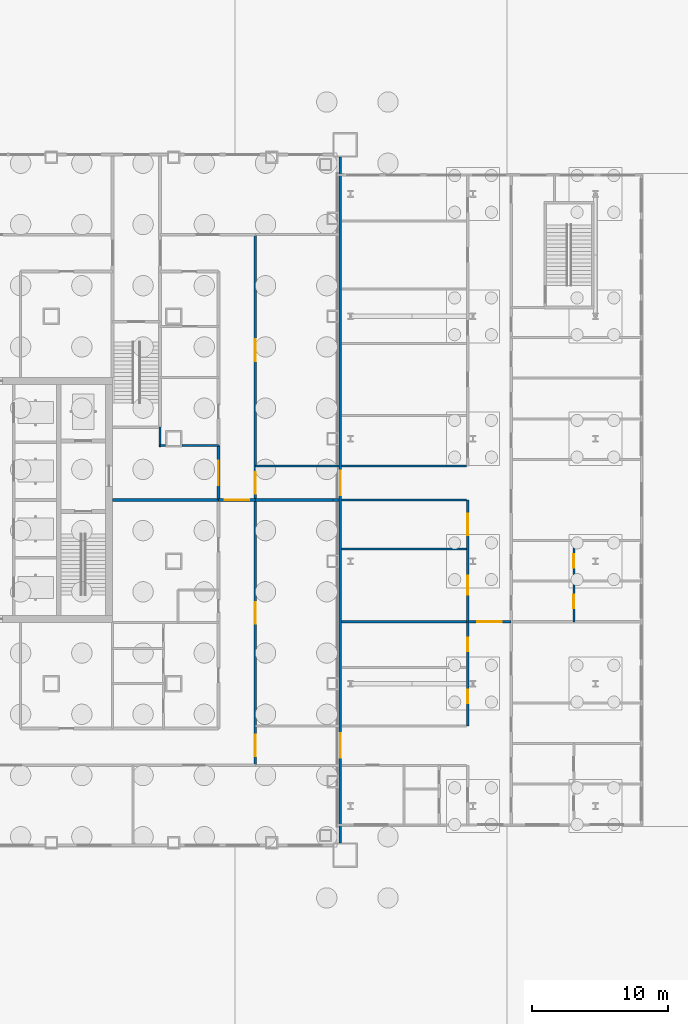
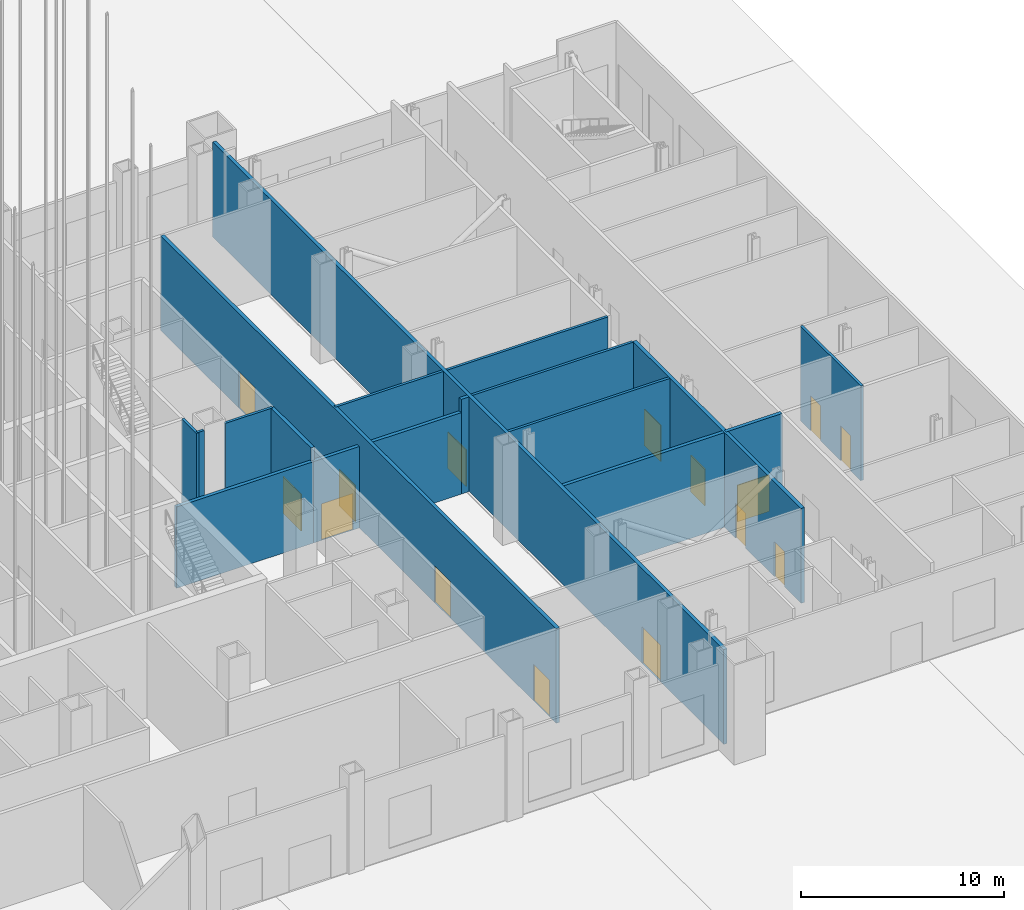
# One storey, part 10 of 36: 18 walls, 15 doors, 15 openings.
"""IFC4 building model written with IfcOpenShell, lengths in metres."""

import ifcopenshell
import ifcopenshell.guid

model = None  # the IFC model being written
_history = None  # IfcOwnerHistory: only IFC2X3 demands one
_inside = {}  # id of a spatial element -> (the spatial element, [elements in it])
_under = {}  # id of a project, library or spatial element -> (it, [spatial elements below it])
_declared = {}  # id of a project -> (the project, [libraries it declares])
_typed = {}  # id of a type object -> (the type object, [elements of that type])
_made_of = {}  # id of a material, layer set ... -> (it, [elements and type objects made of it])


def new_model(schema):
    """Start an empty IFC model of exactly this schema.

    Asked for "IFC4X3", IfcOpenShell would pick the latest addendum, in which some entities
    have other attributes; the version numbers below select the first issue.
    IFC2X3 requires an IfcOwnerHistory on every rooted entity: one is made here for all.
    """
    global model, _history
    if schema == "IFC4X3":
        model = ifcopenshell.file(schema_version=(4, 3, 0, 0))
    else:
        model = ifcopenshell.file(schema=schema)
    _inside.clear()
    _under.clear()
    _declared.clear()
    _typed.clear()
    _made_of.clear()
    _history = None
    if model.schema == "IFC2X3":
        org = make("IfcOrganization", Name="unknown")
        user = make(
            "IfcPersonAndOrganization",
            ThePerson=make("IfcPerson", FamilyName="unknown"),
            TheOrganization=org,
        )
        app = make(
            "IfcApplication",
            ApplicationDeveloper=org,
            Version="unknown",
            ApplicationFullName="unknown",
            ApplicationIdentifier="unknown",
        )
        _history = make(
            "IfcOwnerHistory",
            OwningUser=user,
            OwningApplication=app,
            ChangeAction="ADDED",
            CreationDate=0,
        )
    return model


def make(cls, **values):
    """One entity of the class cls with the attributes given. An attribute that is None is left unset."""
    return model.create_entity(
        cls, **{name: value for name, value in values.items() if value is not None}
    )


def rooted(cls, **values):
    """An entity with a GlobalId (a new one), such as an element, a storey or a relation."""
    return make(cls, GlobalId=ifcopenshell.guid.new(), OwnerHistory=_history, **values)


def si_unit(unit_type, name, prefix=None):
    """IfcSIUnit, for example si_unit("LENGTHUNIT", "METRE", prefix="MILLI")."""
    return make("IfcSIUnit", UnitType=unit_type, Prefix=prefix, Name=name)


def assignment(units):
    """IfcUnitAssignment: the units of a project."""
    return None if units is None else make("IfcUnitAssignment", Units=units)


def point(xyz):
    """IfcCartesianPoint."""
    return None if xyz is None else make("IfcCartesianPoint", Coordinates=xyz)


def direction(xyz):
    """IfcDirection."""
    return None if xyz is None else make("IfcDirection", DirectionRatios=xyz)


def frame(location, z_axis=None, x_axis=None):
    """IfcAxis2Placement3D, a coordinate frame: its origin and axes. An axis left out is left unset."""
    return make(
        "IfcAxis2Placement3D",
        Location=point(location),
        Axis=direction(z_axis),
        RefDirection=direction(x_axis),
    )


def frame_2d(location, x_axis=None):
    """IfcAxis2Placement2D, a coordinate frame in the plane: its origin and x axis."""
    return make(
        "IfcAxis2Placement2D", Location=point(location), RefDirection=direction(x_axis)
    )


def origin():
    """The frame at (0, 0, 0) with its axes left unset."""
    return frame((0.0, 0.0, 0.0))


def place(relative_to, where):
    """IfcLocalPlacement: puts the frame where relative to a parent placement (None: the world)."""
    return make(
        "IfcLocalPlacement", PlacementRelTo=relative_to, RelativePlacement=where
    )


def context(
    kind, dimensions, precision=None, world=None, true_north=None, identifier=None
):
    """IfcGeometricRepresentationContext, for example the 3D "Model" context."""
    return make(
        "IfcGeometricRepresentationContext",
        ContextIdentifier=identifier,
        ContextType=kind,
        CoordinateSpaceDimension=dimensions,
        Precision=precision,
        WorldCoordinateSystem=world,
        TrueNorth=true_north,
    )


def subcontext(parent, identifier, kind, view, scale=None):
    """IfcGeometricRepresentationSubContext, for example "Body" below "Model"."""
    return make(
        "IfcGeometricRepresentationSubContext",
        ContextIdentifier=identifier,
        ContextType=kind,
        ParentContext=parent,
        TargetScale=scale,
        TargetView=view,
    )


def project(units=None, contexts=None):
    """IfcProject with its units and contexts."""
    return rooted(
        "IfcProject",
        Name="project",
        RepresentationContexts=contexts,
        UnitsInContext=assignment(units),
    )


def spatial(cls, under=None, at=None, **own):
    """A site, building, storey or space (cls), placed at a placement, below another one or the project."""
    s = rooted(cls, ObjectPlacement=at, **own)
    if under is not None:
        _under.setdefault(under.id(), (under, []))[1].append(s)
    return s


def profile(cls, at=None, kind="AREA", **sizes):
    """A parametric profile (cls). Its sizes go by their IFC names, for example OverallWidth=200.0."""
    return make(cls, ProfileType=kind, Position=at, **sizes)


def rectangle(**sizes):
    """IfcRectangleProfileDef."""
    return profile("IfcRectangleProfileDef", **sizes)


def extrude(swept, where, along, depth):
    """IfcExtrudedAreaSolid: the profile swept, set in the frame where, extruded along a direction by depth."""
    return make(
        "IfcExtrudedAreaSolid",
        SweptArea=swept,
        Position=where,
        ExtrudedDirection=direction(along),
        Depth=depth,
    )


def shape(context_of_items, identifier, shape_type, items):
    """IfcShapeRepresentation: the items that make up one representation, for example the "Body"."""
    return make(
        "IfcShapeRepresentation",
        ContextOfItems=context_of_items,
        RepresentationIdentifier=identifier,
        RepresentationType=shape_type,
        Items=items,
    )


def material(Name=None, Category=None):
    """IfcMaterial."""
    return make("IfcMaterial", Name=Name, Category=Category)


def layer(
    of_material, thickness, ventilated=None, Name=None, Category=None, Priority=None
):
    """IfcMaterialLayer: one layer of a wall or slab, of a material (None: an air gap)."""
    return make(
        "IfcMaterialLayer",
        Material=of_material,
        LayerThickness=thickness,
        IsVentilated=ventilated,
        Name=Name,
        Category=Category,
        Priority=Priority,
    )


def layer_set(layers, Name=None):
    """IfcMaterialLayerSet."""
    return make("IfcMaterialLayerSet", MaterialLayers=layers, LayerSetName=Name)


def made_of(thing, what):
    """Note that an element or type object is made of a material, layer set ...; save() writes the relation."""
    if what is not None:
        _made_of.setdefault(what.id(), (what, []))[1].append(thing)
    return thing


def type_object(cls, material=None, **own):
    """A type object (cls), such as IfcWallType, which elements share."""
    return made_of(rooted(cls, **own), material)


def element(
    cls,
    number,
    at=None,
    inside=None,
    cuts=None,
    type_object=None,
    material=None,
    context=None,
    identifier="Body",
    shape_type=None,
    held_by="IfcProductDefinitionShape",
    body=None,
    shapes=None,
    **own,
):
    """One element of the class cls, such as IfcWall. Its Tag is "e" and its number.

    at: its placement. inside: the storey or other place that contains it. cuts: it is an
    opening in that element (IfcRelVoidsElement). A single representation is given by context,
    identifier, shape_type and body (its items); several are given by shapes. held_by: the class
    of the entity that holds the representations. save() writes the other relations.
    """
    e = rooted(cls, Tag="e%d" % number, ObjectPlacement=at, **own)
    if body is not None:
        shapes = [shape(context, identifier, shape_type, body)]
    if shapes is not None:
        e.Representation = make(held_by, Representations=shapes)
    if inside is not None:
        _inside.setdefault(inside.id(), (inside, []))[1].append(e)
    if cuts is not None:
        rooted(
            "IfcRelVoidsElement", RelatingBuildingElement=cuts, RelatedOpeningElement=e
        )
    if type_object is not None:
        _typed.setdefault(type_object.id(), (type_object, []))[1].append(e)
    return made_of(e, material)


def fill(opening, filler):
    """IfcRelFillsElement: the door or window that sits in an opening."""
    return rooted(
        "IfcRelFillsElement",
        RelatingOpeningElement=opening,
        RelatedBuildingElement=filler,
    )


def aggregate(whole, parts):
    """IfcRelAggregates: a whole, such as a stair, and the parts it consists of."""
    return rooted("IfcRelAggregates", RelatingObject=whole, RelatedObjects=parts)


def save(model, path):
    """Write the relations noted so far, then the file.

    IfcRelAggregates (storeys below a building ...), IfcRelContainedInSpatialStructure (elements
    in a storey), IfcRelDefinesByType, IfcRelAssociatesMaterial and IfcRelDeclares: one each for
    every whole, place, type object, material and project.
    """
    for whole, parts in _under.values():
        aggregate(whole, parts)
    for where, things in _inside.values():
        rooted(
            "IfcRelContainedInSpatialStructure",
            RelatedElements=things,
            RelatingStructure=where,
        )
    for kind, things in _typed.values():
        rooted("IfcRelDefinesByType", RelatedObjects=things, RelatingType=kind)
    for what, things in _made_of.values():
        rooted("IfcRelAssociatesMaterial", RelatedObjects=things, RelatingMaterial=what)
    for by, libraries in _declared.values():
        rooted("IfcRelDeclares", RelatingContext=by, RelatedDefinitions=libraries)
    model.write(path)


model = new_model("IFC4")

# Units and contexts
model_context = context("Model", 3, precision=1e-05, world=origin(), true_north=direction((0.0, 1.0)))
body_context = subcontext(model_context, "Body", "Model", "MODEL_VIEW")
ifc_project = project(units=[si_unit("LENGTHUNIT", "METRE"), si_unit("AREAUNIT", "SQUARE_METRE"), si_unit("VOLUMEUNIT", "CUBIC_METRE"), si_unit("PLANEANGLEUNIT", "RADIAN"), si_unit("MASSUNIT", "GRAM", prefix="KILO")], contexts=[model_context])

# Site, building, storey
site_placement = place(None, origin())
site = spatial("IfcSite", under=ifc_project, at=site_placement, CompositionType="ELEMENT")
building_placement = place(site_placement, origin())
building = spatial("IfcBuilding", under=site, at=building_placement, Name="Malebo Sky Hospital", CompositionType="ELEMENT")
storey_placement = place(building_placement, origin())
storey = spatial("IfcBuildingStorey", under=building, at=storey_placement, Name="L00", CompositionType="ELEMENT", Elevation=0.0)

# Wall, openings, doors
ifc_material_1 = material(Name="Gypsum board on steel studs", Category="steel")
ifc_layer_1 = layer(ifc_material_1, 0.199951171875)
ifc_layer_set_1 = layer_set([ifc_layer_1], Name="CORRIDOR WALL 200")
wall_type_1 = type_object("IfcWallType", Name="CORRIDOR WALL 200", PredefinedType="PARTITIONING", material=ifc_layer_set_1)
wall_1_placement = place(storey_placement, frame((79.5, 81.5, 0.0), z_axis=(0.0, 0.0, 1.0), x_axis=(0.0, -1.0, 0.0)))
wall_1 = element("IfcWall", 1, at=wall_1_placement, inside=storey, type_object=wall_type_1, Name="Corridor Wall 200 ECO", PredefinedType="PARTITIONING", context=body_context, shape_type="SweptSolid", body=[
    extrude(rectangle(XDim=39.0, YDim=0.199951171875, at=frame_2d((19.5, 0.0))), origin(), (0.0, 0.0, 1.0), 5.699951171875),
])
opening_1_placement = place(wall_1_placement, frame((7.699951171875, 0.0, 0.0)))
opening_1 = element("IfcOpeningElement", 2, at=opening_1_placement, cuts=wall_1, Name="Opening D14", PredefinedType="OPENING", context=body_context, shape_type="SweptSolid", body=[
    extrude(rectangle(XDim=1.60009765625, YDim=2.199951171875, at=frame_2d((0.800048828125, 1.10009765625))), frame((0.0, 0.10986328125, 0.0), z_axis=(0.0, -1.0, 0.0), x_axis=(1.0, 0.0, 0.0)), (0.0, 0.0, 1.0), 0.219970703125),
])
opening_2_placement = place(wall_1_placement, frame((17.449951171875, 0.0, 0.0)))
opening_2 = element("IfcOpeningElement", 3, at=opening_2_placement, cuts=wall_1, Name="Opening D14", PredefinedType="OPENING", context=body_context, shape_type="SweptSolid", body=[
    extrude(rectangle(XDim=1.60009765625, YDim=2.199951171875, at=frame_2d((0.800048828125, 1.10009765625))), frame((0.0, 0.10986328125, 0.0), z_axis=(0.0, -1.0, 0.0), x_axis=(1.0, 0.0, 0.0)), (0.0, 0.0, 1.0), 0.219970703125),
])
opening_3_placement = place(wall_1_placement, frame((27.0, 0.0, 0.0)))
opening_3 = element("IfcOpeningElement", 4, at=opening_3_placement, cuts=wall_1, Name="Opening D14", PredefinedType="OPENING", context=body_context, shape_type="SweptSolid", body=[
    extrude(rectangle(XDim=1.60009765625, YDim=2.199951171875, at=frame_2d((0.800048828125, 1.10009765625))), frame((0.0, 0.10986328125, 0.0), z_axis=(0.0, -1.0, 0.0), x_axis=(1.0, 0.0, 0.0)), (0.0, 0.0, 1.0), 0.219970703125),
])
opening_4_placement = place(wall_1_placement, frame((36.75, 0.0, 0.0)))
opening_4 = element("IfcOpeningElement", 5, at=opening_4_placement, cuts=wall_1, Name="Opening D14", PredefinedType="OPENING", context=body_context, shape_type="SweptSolid", body=[
    extrude(rectangle(XDim=1.60009765625, YDim=2.199951171875, at=frame_2d((0.800048828125, 1.10009765625))), frame((0.0, 0.10986328125, 0.0), z_axis=(0.0, -1.0, 0.0), x_axis=(1.0, 0.0, 0.0)), (0.0, 0.0, 1.0), 0.219970703125),
])
ifc_material_2 = material(Name="Hardwood-faced door leaf in steel frame", Category="steel")
door_type_1 = type_object("IfcDoorType", Name="DEPARTMENT DOOR PAIR 1600", OperationType="DOUBLE_DOOR_DOUBLE_SWING", PredefinedType="DOOR", material=ifc_material_2)
door_1_placement = place(opening_1_placement, origin())
door_1 = element("IfcDoor", 6, at=door_1_placement, inside=storey, type_object=door_type_1, Name="Outpatient reception door", OperationType="DOUBLE_DOOR_DOUBLE_SWING", OverallHeight=2.199951171875, OverallWidth=1.60009765625, PredefinedType="DOOR", context=body_context, shape_type="SweptSolid", body=[
    extrude(rectangle(XDim=1.60009765625, YDim=2.199951171875, at=frame_2d((0.800048828125, 1.10009765625))), frame((0.0, 0.02490234375, 0.0), z_axis=(0.0, -1.0, 0.0), x_axis=(1.0, 0.0, 0.0)), (0.0, 0.0, 1.0), 0.050048828125),
])
fill(opening_1, door_1)
door_2_placement = place(opening_2_placement, origin())
door_2 = element("IfcDoor", 7, at=door_2_placement, inside=storey, type_object=door_type_1, Name="Link corridor door pair", OperationType="DOUBLE_DOOR_DOUBLE_SWING", OverallHeight=2.199951171875, OverallWidth=1.60009765625, PredefinedType="DOOR", context=body_context, shape_type="SweptSolid", body=[
    extrude(rectangle(XDim=1.60009765625, YDim=2.199951171875, at=frame_2d((0.800048828125, 1.10009765625))), frame((0.0, 0.02490234375, 0.0), z_axis=(0.0, -1.0, 0.0), x_axis=(1.0, 0.0, 0.0)), (0.0, 0.0, 1.0), 0.050048828125),
])
fill(opening_2, door_2)
door_3_placement = place(opening_3_placement, origin())
door_3 = element("IfcDoor", 8, at=door_3_placement, inside=storey, type_object=door_type_1, Name="Outpatient waiting area door", OperationType="DOUBLE_DOOR_DOUBLE_SWING", OverallHeight=2.199951171875, OverallWidth=1.60009765625, PredefinedType="DOOR", context=body_context, shape_type="SweptSolid", body=[
    extrude(rectangle(XDim=1.60009765625, YDim=2.199951171875, at=frame_2d((0.800048828125, 1.10009765625))), frame((0.0, 0.02490234375, 0.0), z_axis=(0.0, -1.0, 0.0), x_axis=(1.0, 0.0, 0.0)), (0.0, 0.0, 1.0), 0.050048828125),
])
fill(opening_3, door_3)
door_4_placement = place(opening_4_placement, origin())
door_4 = element("IfcDoor", 9, at=door_4_placement, inside=storey, type_object=door_type_1, Name="Link corridor door pair", OperationType="DOUBLE_DOOR_DOUBLE_SWING", OverallHeight=2.199951171875, OverallWidth=1.60009765625, PredefinedType="DOOR", context=body_context, shape_type="SweptSolid", body=[
    extrude(rectangle(XDim=1.60009765625, YDim=2.199951171875, at=frame_2d((0.800048828125, 1.10009765625))), frame((0.0, 0.02490234375, 0.0), z_axis=(0.0, -1.0, 0.0), x_axis=(1.0, 0.0, 0.0)), (0.0, 0.0, 1.0), 0.050048828125),
])
fill(opening_4, door_4)

wall_2_placement = place(storey_placement, frame((95.117919921875, 45.39990234375, 0.0), z_axis=(0.0, 0.0, 1.0), x_axis=(0.0, 1.0, 0.0)))
wall_2 = element("IfcWall", 10, at=wall_2_placement, inside=storey, type_object=wall_type_1, Name="Corridor Wall 200 EWC2B", PredefinedType="PARTITIONING", context=body_context, shape_type="SweptSolid", body=[
    extrude(rectangle(XDim=16.60009765625, YDim=0.199951171875, at=frame_2d((8.300048828125, 0.0))), origin(), (0.0, 0.0, 1.0), 5.699951171875),
])
opening_5_placement = place(wall_2_placement, frame((1.64990234375, 0.0, 0.0)))
opening_5 = element("IfcOpeningElement", 11, at=opening_5_placement, cuts=wall_2, Name="Opening D03", PredefinedType="OPENING", context=body_context, shape_type="SweptSolid", body=[
    extrude(rectangle(XDim=1.0, YDim=2.10009765625, at=frame_2d((0.5, 1.050048828125))), frame((0.0, 0.10986328125, 0.0), z_axis=(0.0, -1.0, 0.0), x_axis=(1.0, 0.0, 0.0)), (0.0, 0.0, 1.0), 0.219970703125),
])
opening_6_placement = place(wall_2_placement, frame((5.473388671875, 0.0, 0.0)))
opening_6 = element("IfcOpeningElement", 12, at=opening_6_placement, cuts=wall_2, Name="Opening D03", PredefinedType="OPENING", context=body_context, shape_type="SweptSolid", body=[
    extrude(rectangle(XDim=1.0, YDim=2.10009765625, at=frame_2d((0.5, 1.050048828125))), frame((0.0, 0.10986328125, 0.0), z_axis=(0.0, -1.0, 0.0), x_axis=(1.0, 0.0, 0.0)), (0.0, 0.0, 1.0), 0.219970703125),
])
opening_7_placement = place(wall_2_placement, frame((9.62353515625, 0.0, 0.0)))
opening_7 = element("IfcOpeningElement", 13, at=opening_7_placement, cuts=wall_2, Name="Opening D25", PredefinedType="OPENING", context=body_context, shape_type="SweptSolid", body=[
    extrude(rectangle(XDim=1.39990234375, YDim=2.199951171875, at=frame_2d((0.699951171875, 1.10009765625))), frame((0.0, 0.10986328125, 0.0), z_axis=(0.0, -1.0, 0.0), x_axis=(1.0, 0.0, 0.0)), (0.0, 0.0, 1.0), 0.219970703125),
])
opening_8_placement = place(wall_2_placement, frame((14.0, 0.0, 0.0)))
opening_8 = element("IfcOpeningElement", 14, at=opening_8_placement, cuts=wall_2, Name="Opening D14", PredefinedType="OPENING", context=body_context, shape_type="SweptSolid", body=[
    extrude(rectangle(XDim=1.60009765625, YDim=2.199951171875, at=frame_2d((0.800048828125, 1.10009765625))), frame((0.0, 0.10986328125, 0.0), z_axis=(0.0, -1.0, 0.0), x_axis=(1.0, 0.0, 0.0)), (0.0, 0.0, 1.0), 0.219970703125),
])
door_type_2 = type_object("IfcDoorType", Name="BED DOOR PAIR 1400", OperationType="DOUBLE_DOOR_SINGLE_SWING", PredefinedType="DOOR", material=ifc_material_2)
door_5_placement = place(opening_7_placement, origin())
door_5 = element("IfcDoor", 15, at=door_5_placement, inside=storey, type_object=door_type_2, Name="Minor procedures room door", OperationType="DOUBLE_DOOR_SINGLE_SWING", OverallHeight=2.199951171875, OverallWidth=1.39990234375, PredefinedType="DOOR", context=body_context, shape_type="SweptSolid", body=[
    extrude(rectangle(XDim=1.39990234375, YDim=2.199951171875, at=frame_2d((0.699951171875, 1.10009765625))), frame((0.0, 0.02490234375, 0.0), z_axis=(0.0, -1.0, 0.0), x_axis=(1.0, 0.0, 0.0)), (0.0, 0.0, 1.0), 0.050048828125),
])
fill(opening_7, door_5)
door_6_placement = place(opening_8_placement, origin())
door_6 = element("IfcDoor", 16, at=door_6_placement, inside=storey, type_object=door_type_1, Name="Outpatient clinic waiting area door", OperationType="DOUBLE_DOOR_DOUBLE_SWING", OverallHeight=2.199951171875, OverallWidth=1.60009765625, PredefinedType="DOOR", context=body_context, shape_type="SweptSolid", body=[
    extrude(rectangle(XDim=1.60009765625, YDim=2.199951171875, at=frame_2d((0.800048828125, 1.10009765625))), frame((0.0, 0.02490234375, 0.0), z_axis=(0.0, -1.0, 0.0), x_axis=(1.0, 0.0, 0.0)), (0.0, 0.0, 1.0), 0.050048828125),
])
fill(opening_8, door_6)
door_type_3 = type_object("IfcDoorType", Name="ROOM DOOR 1000", OperationType="SINGLE_SWING_LEFT", PredefinedType="DOOR", material=ifc_material_2)
door_7_placement = place(opening_5_placement, origin())
door_7 = element("IfcDoor", 17, at=door_7_placement, inside=storey, type_object=door_type_3, Name="Hearing test room door", OperationType="SINGLE_SWING_LEFT", OverallHeight=2.10009765625, OverallWidth=1.0, PredefinedType="DOOR", context=body_context, shape_type="SweptSolid", body=[
    extrude(rectangle(XDim=1.0, YDim=2.10009765625, at=frame_2d((0.5, 1.050048828125))), frame((0.0, 0.02490234375, 0.0), z_axis=(0.0, -1.0, 0.0), x_axis=(1.0, 0.0, 0.0)), (0.0, 0.0, 1.0), 0.050048828125),
])
fill(opening_5, door_7)
door_8_placement = place(opening_6_placement, origin())
door_8 = element("IfcDoor", 18, at=door_8_placement, inside=storey, type_object=door_type_3, Name="Eye clinic room door", OperationType="SINGLE_SWING_RIGHT", OverallHeight=2.10009765625, OverallWidth=1.0, PredefinedType="DOOR", context=body_context, shape_type="SweptSolid", body=[
    extrude(rectangle(XDim=1.0, YDim=2.10009765625, at=frame_2d((0.5, 1.050048828125))), frame((0.0, 0.02490234375, 0.0), z_axis=(0.0, -1.0, 0.0), x_axis=(1.0, 0.0, 0.0)), (0.0, 0.0, 1.0), 0.050048828125),
])
fill(opening_6, door_8)

# Wall, opening, door
wall_3_placement = place(storey_placement, frame((76.800048828125, 66.0, 0.0), z_axis=(0.0, 0.0, 1.0), x_axis=(0.0, -1.0, 0.0)))
wall_3 = element("IfcWall", 19, at=wall_3_placement, inside=storey, type_object=wall_type_1, Name="Corridor Wall 200 ECIP", PredefinedType="PARTITIONING", context=body_context, shape_type="SweptSolid", body=[
    extrude(rectangle(XDim=4.0, YDim=0.199951171875, at=frame_2d((2.0, 0.0))), origin(), (0.0, 0.0, 1.0), 5.699951171875),
])
opening_9_placement = place(wall_3_placement, frame((1.10009765625, 0.0, 0.0)))
opening_9 = element("IfcOpeningElement", 20, at=opening_9_placement, cuts=wall_3, Name="Opening D28", PredefinedType="OPENING", context=body_context, shape_type="SweptSolid", body=[
    extrude(rectangle(XDim=1.800048828125, YDim=2.199951171875, at=frame_2d((0.89990234375, 1.10009765625))), frame((0.0, 0.10986328125, 0.0), z_axis=(0.0, -1.0, 0.0), x_axis=(1.0, 0.0, 0.0)), (0.0, 0.0, 1.0), 0.219970703125),
])
door_type_4 = type_object("IfcDoorType", Name="FIRE DOOR PAIR 1800", OperationType="DOUBLE_DOOR_SINGLE_SWING", PredefinedType="DOOR", material=ifc_material_2)
door_9_placement = place(opening_9_placement, origin())
door_9 = element("IfcDoor", 21, at=door_9_placement, inside=storey, type_object=door_type_4, Name="Core passage fire door pair", OperationType="DOUBLE_DOOR_SINGLE_SWING", OverallHeight=2.199951171875, OverallWidth=1.800048828125, PredefinedType="DOOR", context=body_context, shape_type="SweptSolid", body=[
    extrude(rectangle(XDim=1.800048828125, YDim=2.199951171875, at=frame_2d((0.89990234375, 1.10009765625))), frame((0.0, 0.02490234375, 0.0), z_axis=(0.0, -1.0, 0.0), x_axis=(1.0, 0.0, 0.0)), (0.0, 0.0, 1.0), 0.050048828125),
])
fill(opening_9, door_9)

# Wall, openings, doors
ifc_material_3 = material(Name="Concrete blockwork", Category="masonry")
ifc_layer_2 = layer(ifc_material_3, 0.199951171875)
ifc_layer_set_2 = layer_set([ifc_layer_2], Name="MOVEMENT JOINT WALL 200")
wall_type_2 = type_object("IfcWallType", Name="MOVEMENT JOINT WALL 200", PredefinedType="SOLIDWALL", material=ifc_layer_set_2)
wall_4_placement = place(storey_placement, frame((85.75, 36.800048828125, 0.0), z_axis=(0.0, 0.0, 1.0), x_axis=(0.0, 1.0, 0.0)))
wall_4 = element("IfcWall", 22, at=wall_4_placement, inside=storey, type_object=wall_type_2, Name="Movement Joint Wall 200 EJ", PredefinedType="SOLIDWALL", context=body_context, shape_type="SweptSolid", body=[
    extrude(rectangle(XDim=50.39990234375, YDim=0.199951171875, at=frame_2d((25.199951171875, 0.0))), origin(), (0.0, 0.0, 1.0), 5.699951171875),
])
opening_10_placement = place(wall_4_placement, frame((6.25, 0.0, 0.0)))
opening_10 = element("IfcOpeningElement", 23, at=opening_10_placement, cuts=wall_4, Name="Opening D28", PredefinedType="OPENING", context=body_context, shape_type="SweptSolid", body=[
    extrude(rectangle(XDim=1.800048828125, YDim=2.199951171875, at=frame_2d((0.89990234375, 1.10009765625))), frame((0.0, 0.10986328125, 0.0), z_axis=(0.0, -1.0, 0.0), x_axis=(1.0, 0.0, 0.0)), (0.0, 0.0, 1.0), 0.219970703125),
])
opening_11_placement = place(wall_4_placement, frame((25.550048828125, 0.0, 0.0)))
opening_11 = element("IfcOpeningElement", 24, at=opening_11_placement, cuts=wall_4, Name="Opening D28", PredefinedType="OPENING", context=body_context, shape_type="SweptSolid", body=[
    extrude(rectangle(XDim=1.800048828125, YDim=2.199951171875, at=frame_2d((0.89990234375, 1.10009765625))), frame((0.0, 0.10986328125, 0.0), z_axis=(0.0, -1.0, 0.0), x_axis=(1.0, 0.0, 0.0)), (0.0, 0.0, 1.0), 0.219970703125),
])
door_10_placement = place(opening_10_placement, origin())
door_10 = element("IfcDoor", 25, at=door_10_placement, inside=storey, type_object=door_type_4, Name="Link fire door pair", OperationType="DOUBLE_DOOR_SINGLE_SWING", OverallHeight=2.199951171875, OverallWidth=1.800048828125, PredefinedType="DOOR", context=body_context, shape_type="SweptSolid", body=[
    extrude(rectangle(XDim=1.800048828125, YDim=2.199951171875, at=frame_2d((0.89990234375, 1.10009765625))), frame((0.0, 0.02490234375, 0.0), z_axis=(0.0, -1.0, 0.0), x_axis=(1.0, 0.0, 0.0)), (0.0, 0.0, 1.0), 0.050048828125),
])
fill(opening_10, door_10)
door_11_placement = place(opening_11_placement, origin())
door_11 = element("IfcDoor", 26, at=door_11_placement, inside=storey, type_object=door_type_4, Name="Link fire door pair", OperationType="DOUBLE_DOOR_SINGLE_SWING", OverallHeight=2.199951171875, OverallWidth=1.800048828125, PredefinedType="DOOR", context=body_context, shape_type="SweptSolid", body=[
    extrude(rectangle(XDim=1.800048828125, YDim=2.199951171875, at=frame_2d((0.89990234375, 1.10009765625))), frame((0.0, 0.02490234375, 0.0), z_axis=(0.0, -1.0, 0.0), x_axis=(1.0, 0.0, 0.0)), (0.0, 0.0, 1.0), 0.050048828125),
])
fill(opening_11, door_11)

# Walls
ifc_layer_3 = layer(ifc_material_1, 0.14990234375)
ifc_layer_set_3 = layer_set([ifc_layer_3], Name="PARTITION 150")
wall_type_3 = type_object("IfcWallType", Name="PARTITION 150", PredefinedType="PARTITIONING", material=ifc_layer_set_3)
wall_5_placement = place(storey_placement, frame((79.5, 64.5, 0.0), z_axis=(0.0, 0.0, 1.0), x_axis=(1.0, 0.0, 0.0)))
element("IfcWall", 27, at=wall_5_placement, inside=storey, type_object=wall_type_3, Name="Partition 150 EP-2.5", PredefinedType="PARTITIONING", context=body_context, shape_type="SweptSolid", body=[
    extrude(rectangle(XDim=6.14990234375, YDim=0.14990234375, at=frame_2d((3.074951171875, 0.0))), origin(), (0.0, 0.0, 1.0), 5.699951171875),
])
wall_6_placement = place(storey_placement, frame((72.5, 66.0, 0.0), z_axis=(0.0, 0.0, 1.0), x_axis=(1.0, 0.0, 0.0)))
element("IfcWall", 28, at=wall_6_placement, inside=storey, type_object=wall_type_3, Name="Partition 150 ESPA", PredefinedType="PARTITIONING", context=body_context, shape_type="SweptSolid", body=[
    extrude(rectangle(XDim=0.39990234375, YDim=0.14990234375, at=frame_2d((0.199951171875, 0.0))), origin(), (0.0, 0.0, 1.0), 5.699951171875),
])
wall_7_placement = place(storey_placement, frame((74.10009765625, 66.0, 0.0), z_axis=(0.0, 0.0, 1.0), x_axis=(1.0, 0.0, 0.0)))
element("IfcWall", 29, at=wall_7_placement, inside=storey, type_object=wall_type_3, Name="Partition 150 ESPA", PredefinedType="PARTITIONING", context=body_context, shape_type="SweptSolid", body=[
    extrude(rectangle(XDim=2.699951171875, YDim=0.14990234375, at=frame_2d((1.35009765625, 0.0))), origin(), (0.0, 0.0, 1.0), 5.699951171875),
])

# Wall, openings, doors
wall_8_placement = place(storey_placement, frame((102.906982421875, 53.046875, 0.0), z_axis=(0.0, 0.0, 1.0), x_axis=(0.0, 1.0, 0.0)))
wall_8 = element("IfcWall", 30, at=wall_8_placement, inside=storey, type_object=wall_type_3, Name="Partition 150 EOV10", PredefinedType="PARTITIONING", context=body_context, shape_type="SweptSolid", body=[
    extrude(rectangle(XDim=5.96875, YDim=0.14990234375, at=frame_2d((2.984375, 0.0))), origin(), (0.0, 0.0, 1.0), 5.699951171875),
])
opening_12_placement = place(wall_8_placement, frame((0.9921875, 0.0, 0.0)))
opening_12 = element("IfcOpeningElement", 31, at=opening_12_placement, cuts=wall_8, Name="Opening D03", PredefinedType="OPENING", context=body_context, shape_type="SweptSolid", body=[
    extrude(rectangle(XDim=1.0, YDim=2.10009765625, at=frame_2d((0.5, 1.050048828125))), frame((0.0, 0.0849609375, 0.0), z_axis=(0.0, -1.0, 0.0), x_axis=(1.0, 0.0, 0.0)), (0.0, 0.0, 1.0), 0.169921875),
])
opening_13_placement = place(wall_8_placement, frame((3.9765625, 0.0, 0.0)))
opening_13 = element("IfcOpeningElement", 32, at=opening_13_placement, cuts=wall_8, Name="Opening D03", PredefinedType="OPENING", context=body_context, shape_type="SweptSolid", body=[
    extrude(rectangle(XDim=1.0, YDim=2.10009765625, at=frame_2d((0.5, 1.050048828125))), frame((0.0, 0.0849609375, 0.0), z_axis=(0.0, -1.0, 0.0), x_axis=(1.0, 0.0, 0.0)), (0.0, 0.0, 1.0), 0.169921875),
])
door_12_placement = place(opening_12_placement, origin())
door_12 = element("IfcDoor", 33, at=door_12_placement, inside=storey, type_object=door_type_3, Name="Examination room inner door", OperationType="SINGLE_SWING_LEFT", OverallHeight=2.10009765625, OverallWidth=1.0, PredefinedType="DOOR", context=body_context, shape_type="SweptSolid", body=[
    extrude(rectangle(XDim=1.0, YDim=2.10009765625, at=frame_2d((0.5, 1.050048828125))), frame((0.0, 0.02490234375, 0.0), z_axis=(0.0, -1.0, 0.0), x_axis=(1.0, 0.0, 0.0)), (0.0, 0.0, 1.0), 0.050048828125),
])
fill(opening_12, door_12)
door_13_placement = place(opening_13_placement, origin())
door_13 = element("IfcDoor", 34, at=door_13_placement, inside=storey, type_object=door_type_3, Name="Examination room inner door", OperationType="SINGLE_SWING_LEFT", OverallHeight=2.10009765625, OverallWidth=1.0, PredefinedType="DOOR", context=body_context, shape_type="SweptSolid", body=[
    extrude(rectangle(XDim=1.0, YDim=2.10009765625, at=frame_2d((0.5, 1.050048828125))), frame((0.0, 0.02490234375, 0.0), z_axis=(0.0, -1.0, 0.0), x_axis=(1.0, 0.0, 0.0)), (0.0, 0.0, 1.0), 0.050048828125),
])
fill(opening_13, door_13)

# Walls
for number, where, z_axis, x_axis, name in (
    (35, (95.01806640625, 58.39990234375, 0.0), (0.0, 0.0, 1.0), (-1.0, 0.0, 0.0), "Partition 150 EIH05"),
    (36, (95.01806640625, 62.0, 0.0), (0.0, 0.0, 1.0), (-1.0, 0.0, 0.0), "Partition 150 EIH06"),
    (37, (95.01806640625, 64.5, 0.0), (0.0, 0.0, 1.0), (-1.0, 0.0, 0.0), "Partition 150 EIH07"),
):
    element("IfcWall", number, at=place(storey_placement, frame(where, z_axis=z_axis, x_axis=x_axis)), inside=storey, type_object=wall_type_3, Name=name, PredefinedType="PARTITIONING", context=body_context, shape_type="SweptSolid", body=[
        extrude(rectangle(XDim=9.16796875, YDim=0.14990234375, at=frame_2d((4.583984375, 0.0))), origin(), (0.0, 0.0, 1.0), 5.699951171875),
    ])
wall_9_placement = place(storey_placement, frame((72.5, 65.89990234375, 0.0), z_axis=(0.0, 0.0, 1.0), x_axis=(0.0, 1.0, 0.0)))
element("IfcWall", 38, at=wall_9_placement, inside=storey, type_object=wall_type_3, Name="Partition 150 ST3C", PredefinedType="PARTITIONING", context=body_context, shape_type="SweptSolid", body=[
    extrude(rectangle(XDim=1.4501953125, YDim=0.14990234375, at=frame_2d((0.72509765625, 0.0))), origin(), (0.0, 0.0, 1.0), 5.699951171875),
])
ifc_layer_4 = layer(ifc_material_3, 0.199951171875)
ifc_layer_set_4 = layer_set([ifc_layer_4], Name="SMOKE BARRIER WALL 200")
wall_type_4 = type_object("IfcWallType", Name="SMOKE BARRIER WALL 200", PredefinedType="SOLIDWALL", material=ifc_layer_set_4)
wall_10_placement = place(storey_placement, frame((79.5, 62.0, 0.0), z_axis=(0.0, 0.0, 1.0), x_axis=(1.0, 0.0, 0.0)))
element("IfcWall", 39, at=wall_10_placement, inside=storey, type_object=wall_type_4, Name="Smoke Barrier Wall 200 EP+0.0", PredefinedType="SOLIDWALL", context=body_context, shape_type="SweptSolid", body=[
    extrude(rectangle(XDim=5.699951171875, YDim=0.199951171875, at=frame_2d((2.85009765625, 0.0))), origin(), (0.0, 0.0, 1.0), 4.89990234375),
])
wall_11_placement = place(storey_placement, frame((85.199951171875, 62.0, 0.0), z_axis=(0.0, 0.0, 1.0), x_axis=(1.0, 0.0, 0.0)))
element("IfcWall", 40, at=wall_11_placement, inside=storey, type_object=wall_type_4, Name="Smoke Barrier Wall 200 EP+0.0", PredefinedType="SOLIDWALL", context=body_context, shape_type="SweptSolid", body=[
    extrude(rectangle(XDim=0.449951171875, YDim=0.199951171875, at=frame_2d((0.22509765625, 0.0))), origin(), (0.0, 0.0, 1.0), 5.699951171875),
])
wall_12_placement = place(storey_placement, frame((69.0, 62.0, 0.0), z_axis=(0.0, 0.0, 1.0), x_axis=(1.0, 0.0, 0.0)))
element("IfcWall", 41, at=wall_12_placement, inside=storey, type_object=wall_type_4, Name="Smoke Barrier Wall 200 ESPB", PredefinedType="SOLIDWALL", context=body_context, shape_type="SweptSolid", body=[
    extrude(rectangle(XDim=7.800048828125, YDim=0.199951171875, at=frame_2d((3.89990234375, 0.0))), origin(), (0.0, 0.0, 1.0), 4.89990234375),
])

# Wall, opening, door
wall_13_placement = place(storey_placement, frame((76.800048828125, 62.0, 0.0), z_axis=(0.0, 0.0, 1.0), x_axis=(1.0, 0.0, 0.0)))
wall_13 = element("IfcWall", 42, at=wall_13_placement, inside=storey, type_object=wall_type_4, Name="Smoke Barrier Wall 200 ESB", PredefinedType="SOLIDWALL", context=body_context, shape_type="SweptSolid", body=[
    extrude(rectangle(XDim=2.699951171875, YDim=0.199951171875, at=frame_2d((1.35009765625, 0.0))), origin(), (0.0, 0.0, 1.0), 4.89990234375),
])
opening_14_placement = place(wall_13_placement, frame((0.449951171875, 0.0, 0.0)))
opening_14 = element("IfcOpeningElement", 43, at=opening_14_placement, cuts=wall_13, Name="Opening D05", PredefinedType="OPENING", context=body_context, shape_type="SweptSolid", body=[
    extrude(rectangle(XDim=1.800048828125, YDim=2.199951171875, at=frame_2d((0.89990234375, 1.10009765625))), frame((0.0, 0.10986328125, 0.0), z_axis=(0.0, -1.0, 0.0), x_axis=(1.0, 0.0, 0.0)), (0.0, 0.0, 1.0), 0.219970703125),
])
door_type_5 = type_object("IfcDoorType", Name="SMOKE DOOR PAIR 1800", OperationType="DOUBLE_DOOR_DOUBLE_SWING", PredefinedType="DOOR", material=ifc_material_2)
door_14_placement = place(opening_14_placement, origin())
door_14 = element("IfcDoor", 44, at=door_14_placement, inside=storey, type_object=door_type_5, Name="Smoke compartment door pair", OperationType="DOUBLE_DOOR_DOUBLE_SWING", OverallHeight=2.199951171875, OverallWidth=1.800048828125, PredefinedType="DOOR", context=body_context, shape_type="SweptSolid", body=[
    extrude(rectangle(XDim=1.800048828125, YDim=2.199951171875, at=frame_2d((0.89990234375, 1.10009765625))), frame((0.0, 0.02490234375, 0.0), z_axis=(0.0, -1.0, 0.0), x_axis=(1.0, 0.0, 0.0)), (0.0, 0.0, 1.0), 0.050048828125),
])
fill(opening_14, door_14)

wall_14_placement = place(storey_placement, frame((98.306884765625, 53.046875, 0.0), z_axis=(0.0, 0.0, 1.0), x_axis=(-1.0, 0.0, 0.0)))
wall_14 = element("IfcWall", 45, at=wall_14_placement, inside=storey, type_object=wall_type_4, Name="Smoke Barrier Wall 200 EWSB", PredefinedType="SOLIDWALL", context=body_context, shape_type="SweptSolid", body=[
    extrude(rectangle(XDim=3.18896484375, YDim=0.199951171875, at=frame_2d((1.594482421875, 0.0))), origin(), (0.0, 0.0, 1.0), 5.699951171875),
])
opening_15_placement = place(wall_14_placement, frame((0.694580078125, 0.0, 0.0)))
opening_15 = element("IfcOpeningElement", 46, at=opening_15_placement, cuts=wall_14, Name="Opening D05", PredefinedType="OPENING", context=body_context, shape_type="SweptSolid", body=[
    extrude(rectangle(XDim=1.800048828125, YDim=2.199951171875, at=frame_2d((0.89990234375, 1.10009765625))), frame((0.0, 0.10986328125, 0.0), z_axis=(0.0, -1.0, 0.0), x_axis=(1.0, 0.0, 0.0)), (0.0, 0.0, 1.0), 0.219970703125),
])
door_15_placement = place(opening_15_placement, origin())
door_15 = element("IfcDoor", 47, at=door_15_placement, inside=storey, type_object=door_type_5, Name="Smoke compartment door pair", OperationType="DOUBLE_DOOR_DOUBLE_SWING", OverallHeight=2.199951171875, OverallWidth=1.800048828125, PredefinedType="DOOR", context=body_context, shape_type="SweptSolid", body=[
    extrude(rectangle(XDim=1.800048828125, YDim=2.199951171875, at=frame_2d((0.89990234375, 1.10009765625))), frame((0.0, 0.02490234375, 0.0), z_axis=(0.0, -1.0, 0.0), x_axis=(1.0, 0.0, 0.0)), (0.0, 0.0, 1.0), 0.050048828125),
])
fill(opening_15, door_15)

# Wall
wall_15_placement = place(storey_placement, frame((95.01806640625, 53.046875, 0.0), z_axis=(0.0, 0.0, 1.0), x_axis=(-1.0, 0.0, 0.0)))
element("IfcWall", 48, at=wall_15_placement, inside=storey, type_object=wall_type_4, Name="Smoke Barrier Wall 200 EIH04", PredefinedType="SOLIDWALL", context=body_context, shape_type="SweptSolid", body=[
    extrude(rectangle(XDim=9.16796875, YDim=0.199951171875, at=frame_2d((4.583984375, 0.0))), origin(), (0.0, 0.0, 1.0), 5.699951171875),
])

save(model, "model.ifc")
